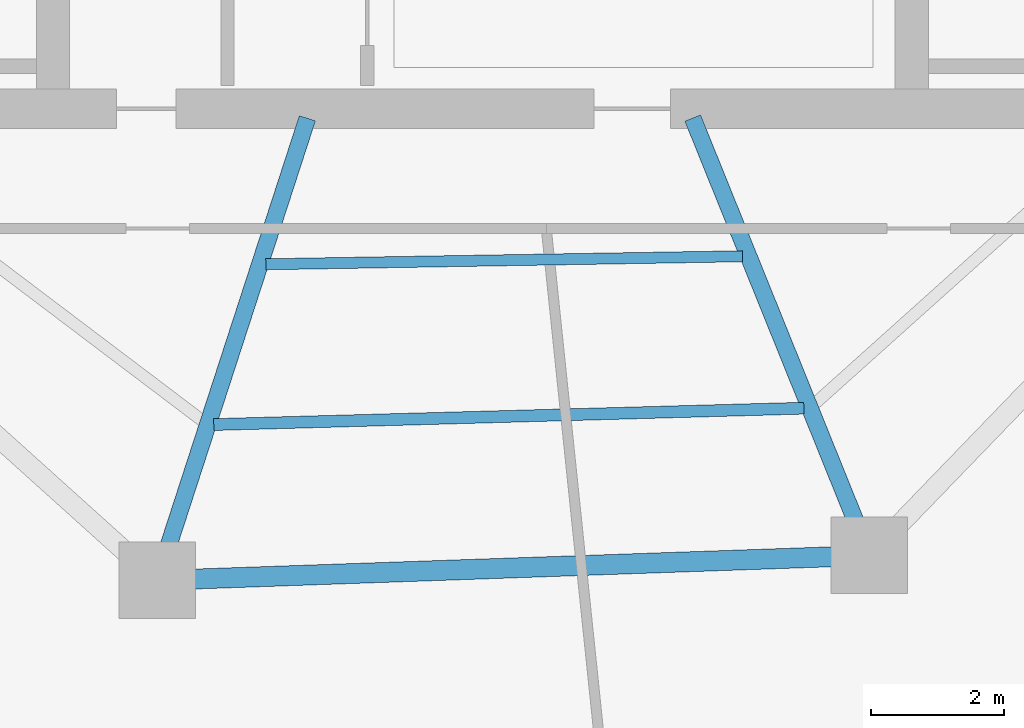
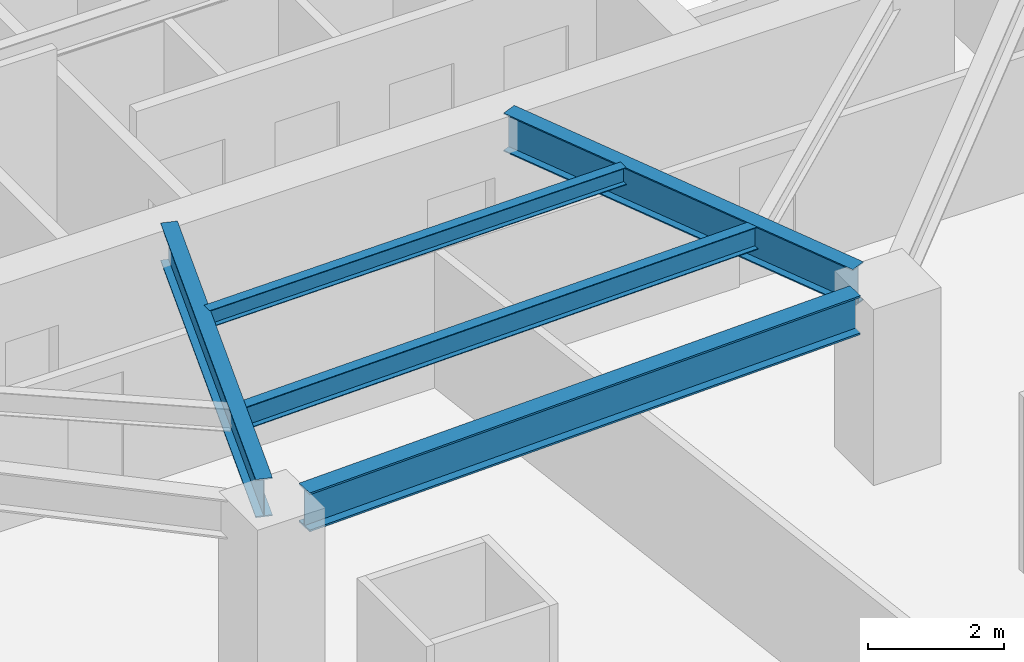
# One storey, part 5 of 25: 5 beams.
"""IFC4 building model written with IfcOpenShell, lengths in metres."""

from ifc_helpers import new_model, si_unit, direction, frame, origin, origin_2d, place, context, subcontext, project, spatial, i_section, extrude, material, material_profile, profile_set, type_object, element, save


model = new_model("IFC4")

# Units and contexts
model_context = context("Model", 3, precision=1e-05, world=origin(), true_north=direction((0.0, 1.0)))
body_context = subcontext(model_context, "Body", "Model", "MODEL_VIEW")
ifc_project = project(units=[si_unit("LENGTHUNIT", "METRE"), si_unit("AREAUNIT", "SQUARE_METRE"), si_unit("VOLUMEUNIT", "CUBIC_METRE"), si_unit("PLANEANGLEUNIT", "RADIAN"), si_unit("MASSUNIT", "GRAM", prefix="KILO")], contexts=[model_context])

# Site, building, storey
site_placement = place(None, origin())
site = spatial("IfcSite", under=ifc_project, at=site_placement, CompositionType="ELEMENT")
building_placement = place(site_placement, origin())
building = spatial("IfcBuilding", under=site, at=building_placement, Name="Qarnah Convention Tower", CompositionType="ELEMENT")
storey_placement = place(building_placement, frame((0.0, 0.0, 76.35009765625)))
storey = spatial("IfcBuildingStorey", under=building, at=storey_placement, Name="L19", CompositionType="ELEMENT", Elevation=76.35009765625)

# Beams
ifc_material = material(Name="Structural steel S355JR", Category="steel")
ifc_material_profile_1 = material_profile(ifc_material, i_section(OverallWidth=0.166015625, OverallDepth=0.31201171875, WebThickness=0.007080078125, FlangeThickness=0.010986328125, at=origin_2d()), Name="W310X45")
ifc_profile_set_1 = profile_set([ifc_material_profile_1], Name="Structural steel S355JR")
beam_type_1 = type_object("IfcBeamType", Name="BM-JST-W310", PredefinedType="JOIST", material=ifc_profile_set_1)
beam_1_placement = place(storey_placement, frame((33.99609375, 16.263916015625, 3.013916015625), z_axis=(0.99985934511, 0.016771702219, 0.0), x_axis=(-0.016771702219, 0.99985934511, 0.0)))
element("IfcBeam", 1, at=beam_1_placement, inside=storey, type_object=beam_type_1, Name="L19 joist BM-L19-IJST-07", PredefinedType="JOIST", context=body_context, shape_type="SweptSolid", body=[
    extrude(i_section(OverallWidth=0.166015625, OverallDepth=0.31201171875, WebThickness=0.007080078125, FlangeThickness=0.010986328125, at=origin_2d()), origin(), (0.0, 0.0, 1.0), 7.161865234375),
])
ifc_material_profile_2 = material_profile(ifc_material, i_section(OverallWidth=0.177978515625, OverallDepth=0.407958984375, WebThickness=0.008056640625, FlangeThickness=0.012939453125, at=origin_2d()), Name="W410X60")
ifc_profile_set_2 = profile_set([ifc_material_profile_2], Name="Structural steel S355JR")
beam_type_2 = type_object("IfcBeamType", Name="BM-JST-W410", PredefinedType="JOIST", material=ifc_profile_set_2)
beam_2_placement = place(storey_placement, frame((33.214111328125, 13.85595703125, 2.9658203125), z_axis=(0.999614802667, 0.027753311328, 0.0), x_axis=(-0.027753311328, 0.999614802667, 0.0)))
element("IfcBeam", 2, at=beam_2_placement, inside=storey, type_object=beam_type_2, Name="L19 joist BM-L19-SJST-07", PredefinedType="JOIST", context=body_context, shape_type="SweptSolid", body=[
    extrude(i_section(OverallWidth=0.177978515625, OverallDepth=0.407958984375, WebThickness=0.008056640625, FlangeThickness=0.012939453125, at=origin_2d()), origin(), (0.0, 0.0, 1.0), 8.8671875),
])
ifc_material_profile_3 = material_profile(ifc_material, i_section(OverallWidth=0.25390625, OverallDepth=0.68798828125, WebThickness=0.012939453125, FlangeThickness=0.02099609375, at=origin_2d()), Name="W690X152")
ifc_profile_set_3 = profile_set([ifc_material_profile_3], Name="Structural steel S355JR")
beam_type_3 = type_object("IfcBeamType", Name="BM-RAD-W690", PredefinedType="BEAM", material=ifc_profile_set_3)
beam_3_placement = place(storey_placement, frame((34.6201171875, 18.45703125, 2.825927734375), z_axis=(-0.30908279771, -0.951035132979, 0.0), x_axis=(0.951035132979, -0.30908279771, 0.0)))
element("IfcBeam", 3, at=beam_3_placement, inside=storey, type_object=beam_type_3, Name="L19 beam BM-L19-RAD-07", PredefinedType="BEAM", context=body_context, shape_type="SweptSolid", body=[
    extrude(i_section(OverallWidth=0.25390625, OverallDepth=0.68798828125, WebThickness=0.012939453125, FlangeThickness=0.02099609375, at=origin_2d()), origin(), (0.0, 0.0, 1.0), 6.7431640625),
])
beam_4_placement = place(storey_placement, frame((40.407958984375, 18.4609375, 2.825927734375), z_axis=(0.374642886347, -0.927169190445, 0.0), x_axis=(0.927169190445, 0.374642886347, 0.0)))
element("IfcBeam", 4, at=beam_4_placement, inside=storey, type_object=beam_type_3, Name="L19 beam BM-L19-RAD-08", PredefinedType="BEAM", context=body_context, shape_type="SweptSolid", body=[
    extrude(i_section(OverallWidth=0.25390625, OverallDepth=0.68798828125, WebThickness=0.012939453125, FlangeThickness=0.02099609375, at=origin_2d()), origin(), (0.0, 0.0, 1.0), 6.531494140625),
])
ifc_material_profile_4 = material_profile(ifc_material, i_section(OverallWidth=0.300048828125, OverallDepth=0.699951171875, WebThickness=0.01708984375, FlangeThickness=0.031982421875, at=origin_2d()), Name="HEB700")
ifc_profile_set_4 = profile_set([ifc_material_profile_4], Name="Structural steel S355JR")
beam_type_4 = type_object("IfcBeamType", Name="BM-RING-HEB700", PredefinedType="BEAM", material=ifc_profile_set_4)
beam_5_placement = place(storey_placement, frame((32.928955078125, 11.535888671875, 2.81982421875), z_axis=(0.999390577592, 0.03490663862, 0.0), x_axis=(-0.03490663862, 0.999390577592, 0.0)))
element("IfcBeam", 5, at=beam_5_placement, inside=storey, type_object=beam_type_4, Name="L19 beam BM-L19-SPN-07", PredefinedType="BEAM", context=body_context, shape_type="SweptSolid", body=[
    extrude(i_section(OverallWidth=0.300048828125, OverallDepth=0.699951171875, WebThickness=0.01708984375, FlangeThickness=0.031982421875, at=origin_2d()), origin(), (0.0, 0.0, 1.0), 9.574951171875),
])

save(model, "model.ifc")
